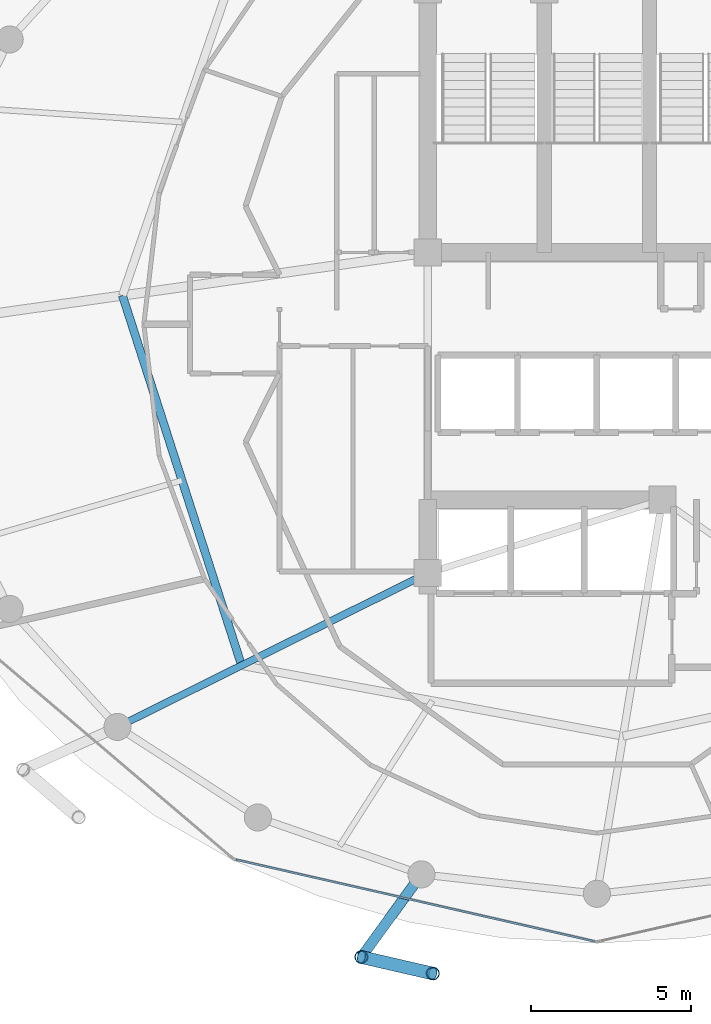
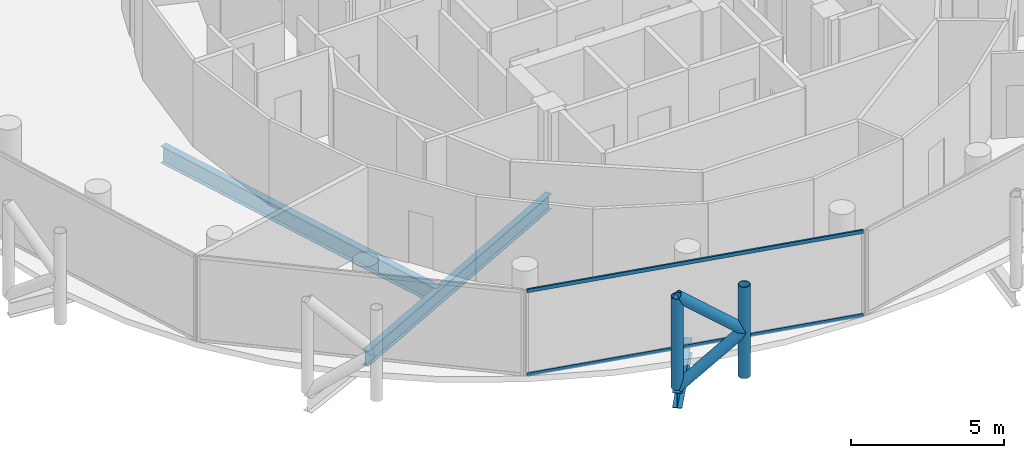
# One storey, part 4 of 27: 6 members, 3 beams, 1 element without a shape of its own.
"""IFC4 building model written with IfcOpenShell, lengths in metres."""

from ifc_helpers import new_model, si_unit, direction, frame, origin, origin_2d, place, context, subcontext, project, spatial, hollow_rectangle, hollow_circle, i_section, extrude, material, layer, layer_set, material_profile, profile_set, type_object, element, aggregate, save


model = new_model("IFC4")

# Units and contexts
model_context = context("Model", 3, precision=1e-05, world=origin(), true_north=direction((0.0, 1.0)))
body_context = subcontext(model_context, "Body", "Model", "MODEL_VIEW")
ifc_project = project(units=[si_unit("LENGTHUNIT", "METRE"), si_unit("AREAUNIT", "SQUARE_METRE"), si_unit("VOLUMEUNIT", "CUBIC_METRE"), si_unit("PLANEANGLEUNIT", "RADIAN"), si_unit("MASSUNIT", "GRAM", prefix="KILO")], contexts=[model_context])

# Site, building, storey
site_placement = place(None, origin())
site = spatial("IfcSite", under=ifc_project, at=site_placement, CompositionType="ELEMENT")
building_placement = place(site_placement, origin())
building = spatial("IfcBuilding", under=site, at=building_placement, Name="Nuhasar Tower", CompositionType="ELEMENT")
storey_placement = place(building_placement, frame((0.0, 0.0, 211.800048828125)))
storey = spatial("IfcBuildingStorey", under=building, at=storey_placement, Name="L51", CompositionType="ELEMENT", Elevation=211.800048828125)

# Beams
ifc_material_1 = material(Name="Steel S355", Category="steel")
ifc_material_profile_1 = material_profile(ifc_material_1, i_section(OverallWidth=0.25390625, OverallDepth=0.68408203125, WebThickness=0.012451171875, FlangeThickness=0.018798828125, at=origin_2d()), Name="W27X94")
ifc_profile_set_1 = profile_set([ifc_material_profile_1], Name="Steel S355")
beam_type_1 = type_object("IfcBeamType", Name="BM-INRING-W27X94", PredefinedType="BEAM", material=ifc_profile_set_1)
beam_1_placement = place(storey_placement, frame((24.1298828125, 27.699951171875, -0.58203125), z_axis=(0.306589852134, -0.951841721385, 0.0), x_axis=(0.951841721385, 0.306589852134, 0.0)))
element("IfcBeam", 1, at=beam_1_placement, inside=storey, type_object=beam_type_1, Name="L51 Inner Header Beam 08", PredefinedType="BEAM", context=body_context, shape_type="SweptSolid", body=[
    extrude(i_section(OverallWidth=0.25390625, OverallDepth=0.68408203125, WebThickness=0.012451171875, FlangeThickness=0.018798828125, at=origin_2d()), origin(), (0.0, 0.0, 1.0), 12.179443359375),
])
ifc_material_profile_2 = material_profile(ifc_material_1, i_section(OverallWidth=0.22900390625, OverallDepth=0.612060546875, WebThickness=0.011962890625, FlangeThickness=0.01953125, at=origin_2d()), Name="W24X84")
ifc_profile_set_2 = profile_set([ifc_material_profile_2], Name="Steel S355")
beam_type_2 = type_object("IfcBeamType", Name="BM-RAD-W24X84", PredefinedType="BEAM", material=ifc_profile_set_2)
beam_2_placement = place(storey_placement, frame((33.699951171875, 19.0, -0.546142578125), z_axis=(-0.895928935233, -0.444197414459, 0.0), x_axis=(0.444197414459, -0.895928935233, 0.0)))
element("IfcBeam", 2, at=beam_2_placement, inside=storey, type_object=beam_type_2, Name="L51 Radial Floor Girder 01", PredefinedType="BEAM", context=body_context, shape_type="SweptSolid", body=[
    extrude(i_section(OverallWidth=0.22900390625, OverallDepth=0.612060546875, WebThickness=0.011962890625, FlangeThickness=0.01953125, at=origin_2d()), origin(), (0.0, 0.0, 1.0), 10.85546875),
])
ifc_material_profile_3 = material_profile(ifc_material_1, i_section(OverallWidth=0.323974609375, OverallDepth=0.611083984375, WebThickness=0.0126953125, FlangeThickness=0.01904296875, at=origin_2d()), Name="W24X104")
ifc_profile_set_3 = profile_set([ifc_material_profile_3], Name="Steel S355")
beam_type_3 = type_object("IfcBeamType", Name="BM-TIE-W24X104", PredefinedType="BEAM", material=ifc_profile_set_3)
beam_3_placement = place(storey_placement, frame((33.5, 9.55810546875, -0.545166015625), z_axis=(-0.588094663461, -0.808792103577, 0.0), x_axis=(0.808792103577, -0.588094663461, 0.0)))
element("IfcBeam", 3, at=beam_3_placement, inside=storey, type_object=beam_type_3, Name="L51 Exoskeleton Node Tie Beam 09", PredefinedType="BEAM", context=body_context, shape_type="SweptSolid", body=[
    extrude(i_section(OverallWidth=0.323974609375, OverallDepth=0.611083984375, WebThickness=0.0126953125, FlangeThickness=0.01904296875, at=origin_2d()), origin(), (0.0, 0.0, 1.0), 3.20361328125),
])

# Curtain wall, members
ifc_material_2 = material(Name="Aluminium 6063-T6", Category="aluminium")
ifc_layer = layer(ifc_material_2, 0.18994140625)
ifc_layer_set = layer_set([ifc_layer], Name="Aluminium 6063-T6")
curtain_wall_type = type_object("IfcCurtainWallType", Name="CW-Z3-RES", PredefinedType="NOTDEFINED", material=ifc_layer_set)
curtain_wall_placement = place(storey_placement, origin())
curtain_wall = element("IfcCurtainWall", 4, at=curtain_wall_placement, inside=storey, type_object=curtain_wall_type, Name="L51 Unitised Curtain Wall 09", PredefinedType="NOTDEFINED")
ifc_material_profile_4 = material_profile(ifc_material_2, hollow_rectangle(XDim=0.06494140625, YDim=0.139892578125, WallThickness=0.00439453125, at=origin_2d()), Name="CWT-4")
ifc_profile_set_4 = profile_set([ifc_material_profile_4], Name="Aluminium 6063-T6")
member_type_1 = type_object("IfcMemberType", Name="CW-TRN-S4", PredefinedType="USERDEFINED", material=ifc_profile_set_4)
member_1_placement = place(storey_placement, frame((27.683349609375, 10.01953125, 0.032470703125), z_axis=(0.974989487479, -0.222250982686, 0.0), x_axis=(0.222250982686, 0.974989487479, 0.0)))
member_1 = element("IfcMember", 5, at=member_1_placement, type_object=member_type_1, Name="CW-Z3 transom 1.1", ObjectType="TRANSOM", PredefinedType="USERDEFINED", context=body_context, shape_type="SweptSolid", body=[
    extrude(hollow_rectangle(XDim=0.06494140625, YDim=0.139892578125, WallThickness=0.00439453125, at=origin_2d()), origin(), (0.0, 0.0, 1.0), 11.541748046875),
])
member_2_placement = place(storey_placement, frame((27.683349609375, 10.01953125, 3.37744140625), z_axis=(0.974989487479, -0.222250982686, 0.0), x_axis=(0.222250982686, 0.974989487479, 0.0)))
member_2 = element("IfcMember", 6, at=member_2_placement, type_object=member_type_1, Name="CW-Z3 transom 1.2", ObjectType="TRANSOM", PredefinedType="USERDEFINED", context=body_context, shape_type="SweptSolid", body=[
    extrude(hollow_rectangle(XDim=0.06494140625, YDim=0.139892578125, WallThickness=0.00439453125, at=origin_2d()), origin(), (0.0, 0.0, 1.0), 11.541748046875),
])
aggregate(curtain_wall, [member_1, member_2])

# Members
ifc_material_3 = material(Name="Steel S460", Category="steel")
ifc_material_profile_5 = material_profile(ifc_material_3, hollow_circle(Radius=0.203125, WallThickness=0.01904296875, at=origin_2d()), Name="HSS406.4X19.1")
ifc_profile_set_5 = profile_set([ifc_material_profile_5], Name="Steel S460")
member_type_2 = type_object("IfcMemberType", Name="EXO-BRONZE-406", PredefinedType="BRACE", material=ifc_profile_set_5)
for number, where, z_axis, x_axis, name in (
    (7, (31.615966796875, 6.967041015625, 0.0), (0.0, 0.0, 1.0), (1.0, 0.0, 0.0), "L51 Exoskeleton Chord Column EC-09A"),
    (8, (33.85693359375, 6.450927734375, 0.0), (0.0, 0.0, 1.0), (1.0, 0.0, 0.0), "L51 Exoskeleton Chord Column EC-09B"),
):
    element("IfcMember", number, at=place(storey_placement, frame(where, z_axis=z_axis, x_axis=x_axis)), inside=storey, type_object=member_type_2, Name=name, PredefinedType="BRACE", context=body_context, shape_type="SweptSolid", body=[
        extrude(hollow_circle(Radius=0.203125, WallThickness=0.01904296875, at=origin_2d()), origin(), (0.0, 0.0, 1.0), 3.64990234375),
    ])
for number, where, z_axis, x_axis, name in (
    (9, (31.615966796875, 6.967041015625, 0.0), (0.76333158458, -0.175801609086, 0.621625841021), (0.224433035437, 0.97448951385, 0.0), "L51 Bronze Diagrid Brace W1-09"),
    (10, (33.85693359375, 6.450927734375, 1.824951171875), (-0.76333158458, 0.175801609086, 0.621625841021), (-0.224433035437, -0.97448951385, 0.0), "L51 Bronze Diagrid Brace W2-09"),
):
    element("IfcMember", number, at=place(storey_placement, frame(where, z_axis=z_axis, x_axis=x_axis)), inside=storey, type_object=member_type_2, Name=name, PredefinedType="BRACE", context=body_context, shape_type="SweptSolid", body=[
        extrude(hollow_circle(Radius=0.203125, WallThickness=0.01904296875, at=origin_2d()), origin(), (0.0, 0.0, 1.0), 2.935791015625),
    ])

save(model, "model.ifc")
